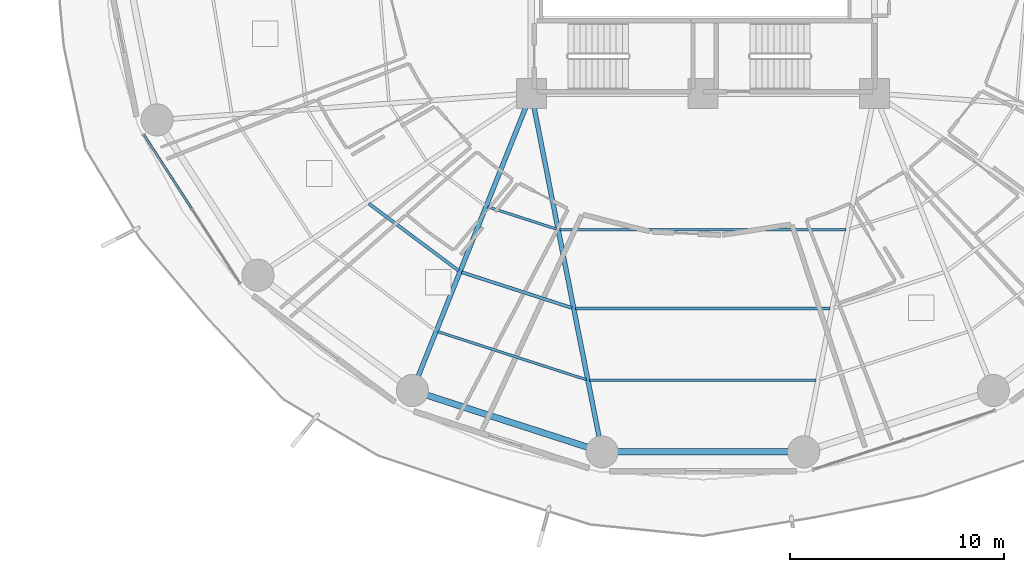
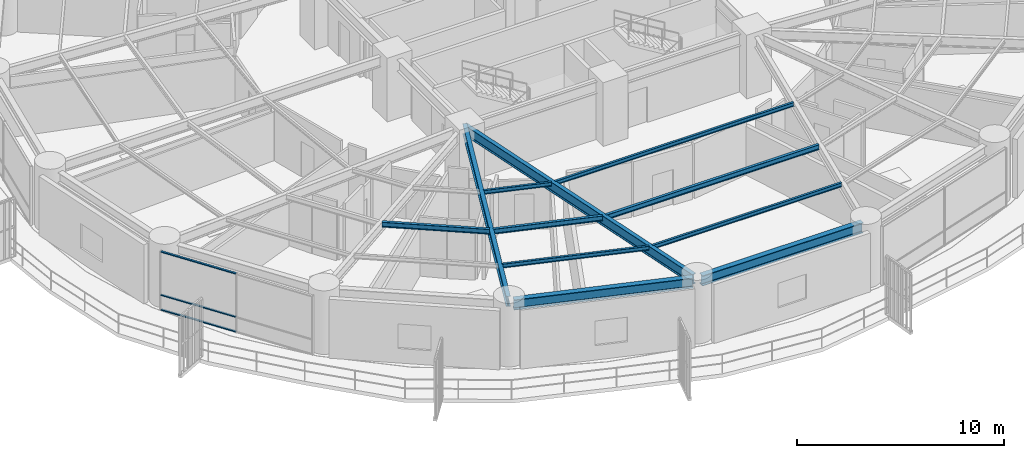
# One storey, part 3 of 33: 11 beams, 3 members, 1 element without a shape of its own.
"""IFC4 building model written with IfcOpenShell, lengths in metres."""

import ifcopenshell
import ifcopenshell.guid

model = None  # the IFC model being written
_history = None  # IfcOwnerHistory: only IFC2X3 demands one
_inside = {}  # id of a spatial element -> (the spatial element, [elements in it])
_under = {}  # id of a project, library or spatial element -> (it, [spatial elements below it])
_declared = {}  # id of a project -> (the project, [libraries it declares])
_typed = {}  # id of a type object -> (the type object, [elements of that type])
_made_of = {}  # id of a material, layer set ... -> (it, [elements and type objects made of it])


def new_model(schema):
    """Start an empty IFC model of exactly this schema.

    Asked for "IFC4X3", IfcOpenShell would pick the latest addendum, in which some entities
    have other attributes; the version numbers below select the first issue.
    IFC2X3 requires an IfcOwnerHistory on every rooted entity: one is made here for all.
    """
    global model, _history
    if schema == "IFC4X3":
        model = ifcopenshell.file(schema_version=(4, 3, 0, 0))
    else:
        model = ifcopenshell.file(schema=schema)
    _inside.clear()
    _under.clear()
    _declared.clear()
    _typed.clear()
    _made_of.clear()
    _history = None
    if model.schema == "IFC2X3":
        org = make("IfcOrganization", Name="unknown")
        user = make(
            "IfcPersonAndOrganization",
            ThePerson=make("IfcPerson", FamilyName="unknown"),
            TheOrganization=org,
        )
        app = make(
            "IfcApplication",
            ApplicationDeveloper=org,
            Version="unknown",
            ApplicationFullName="unknown",
            ApplicationIdentifier="unknown",
        )
        _history = make(
            "IfcOwnerHistory",
            OwningUser=user,
            OwningApplication=app,
            ChangeAction="ADDED",
            CreationDate=0,
        )
    return model


def make(cls, **values):
    """One entity of the class cls with the attributes given. An attribute that is None is left unset."""
    return model.create_entity(
        cls, **{name: value for name, value in values.items() if value is not None}
    )


def rooted(cls, **values):
    """An entity with a GlobalId (a new one), such as an element, a storey or a relation."""
    return make(cls, GlobalId=ifcopenshell.guid.new(), OwnerHistory=_history, **values)


def si_unit(unit_type, name, prefix=None):
    """IfcSIUnit, for example si_unit("LENGTHUNIT", "METRE", prefix="MILLI")."""
    return make("IfcSIUnit", UnitType=unit_type, Prefix=prefix, Name=name)


def assignment(units):
    """IfcUnitAssignment: the units of a project."""
    return None if units is None else make("IfcUnitAssignment", Units=units)


def point(xyz):
    """IfcCartesianPoint."""
    return None if xyz is None else make("IfcCartesianPoint", Coordinates=xyz)


def direction(xyz):
    """IfcDirection."""
    return None if xyz is None else make("IfcDirection", DirectionRatios=xyz)


def frame(location, z_axis=None, x_axis=None):
    """IfcAxis2Placement3D, a coordinate frame: its origin and axes. An axis left out is left unset."""
    return make(
        "IfcAxis2Placement3D",
        Location=point(location),
        Axis=direction(z_axis),
        RefDirection=direction(x_axis),
    )


def frame_2d(location, x_axis=None):
    """IfcAxis2Placement2D, a coordinate frame in the plane: its origin and x axis."""
    return make(
        "IfcAxis2Placement2D", Location=point(location), RefDirection=direction(x_axis)
    )


def origin():
    """The frame at (0, 0, 0) with its axes left unset."""
    return frame((0.0, 0.0, 0.0))


def origin_2d():
    """The frame at (0, 0) in the plane with its x axis left unset."""
    return frame_2d((0.0, 0.0))


def place(relative_to, where):
    """IfcLocalPlacement: puts the frame where relative to a parent placement (None: the world)."""
    return make(
        "IfcLocalPlacement", PlacementRelTo=relative_to, RelativePlacement=where
    )


def context(
    kind, dimensions, precision=None, world=None, true_north=None, identifier=None
):
    """IfcGeometricRepresentationContext, for example the 3D "Model" context."""
    return make(
        "IfcGeometricRepresentationContext",
        ContextIdentifier=identifier,
        ContextType=kind,
        CoordinateSpaceDimension=dimensions,
        Precision=precision,
        WorldCoordinateSystem=world,
        TrueNorth=true_north,
    )


def subcontext(parent, identifier, kind, view, scale=None):
    """IfcGeometricRepresentationSubContext, for example "Body" below "Model"."""
    return make(
        "IfcGeometricRepresentationSubContext",
        ContextIdentifier=identifier,
        ContextType=kind,
        ParentContext=parent,
        TargetScale=scale,
        TargetView=view,
    )


def project(units=None, contexts=None):
    """IfcProject with its units and contexts."""
    return rooted(
        "IfcProject",
        Name="project",
        RepresentationContexts=contexts,
        UnitsInContext=assignment(units),
    )


def spatial(cls, under=None, at=None, **own):
    """A site, building, storey or space (cls), placed at a placement, below another one or the project."""
    s = rooted(cls, ObjectPlacement=at, **own)
    if under is not None:
        _under.setdefault(under.id(), (under, []))[1].append(s)
    return s


def profile(cls, at=None, kind="AREA", **sizes):
    """A parametric profile (cls). Its sizes go by their IFC names, for example OverallWidth=200.0."""
    return make(cls, ProfileType=kind, Position=at, **sizes)


def hollow_rectangle(**sizes):
    """IfcRectangleHollowProfileDef."""
    return profile("IfcRectangleHollowProfileDef", **sizes)


def i_section(**sizes):
    """IfcIShapeProfileDef."""
    return profile("IfcIShapeProfileDef", **sizes)


def extrude(swept, where, along, depth):
    """IfcExtrudedAreaSolid: the profile swept, set in the frame where, extruded along a direction by depth."""
    return make(
        "IfcExtrudedAreaSolid",
        SweptArea=swept,
        Position=where,
        ExtrudedDirection=direction(along),
        Depth=depth,
    )


def shape(context_of_items, identifier, shape_type, items):
    """IfcShapeRepresentation: the items that make up one representation, for example the "Body"."""
    return make(
        "IfcShapeRepresentation",
        ContextOfItems=context_of_items,
        RepresentationIdentifier=identifier,
        RepresentationType=shape_type,
        Items=items,
    )


def material(Name=None, Category=None):
    """IfcMaterial."""
    return make("IfcMaterial", Name=Name, Category=Category)


def layer(
    of_material, thickness, ventilated=None, Name=None, Category=None, Priority=None
):
    """IfcMaterialLayer: one layer of a wall or slab, of a material (None: an air gap)."""
    return make(
        "IfcMaterialLayer",
        Material=of_material,
        LayerThickness=thickness,
        IsVentilated=ventilated,
        Name=Name,
        Category=Category,
        Priority=Priority,
    )


def layer_set(layers, Name=None):
    """IfcMaterialLayerSet."""
    return make("IfcMaterialLayerSet", MaterialLayers=layers, LayerSetName=Name)


def material_profile(
    of_material, cross_section, Name=None, Category=None, Priority=None
):
    """IfcMaterialProfile: a cross section and its material."""
    return make(
        "IfcMaterialProfile",
        Name=Name,
        Material=of_material,
        Profile=cross_section,
        Priority=Priority,
        Category=Category,
    )


def profile_set(profiles, Name=None, composite=None):
    """IfcMaterialProfileSet."""
    return make(
        "IfcMaterialProfileSet",
        Name=Name,
        MaterialProfiles=profiles,
        CompositeProfile=composite,
    )


def made_of(thing, what):
    """Note that an element or type object is made of a material, layer set ...; save() writes the relation."""
    if what is not None:
        _made_of.setdefault(what.id(), (what, []))[1].append(thing)
    return thing


def type_object(cls, material=None, **own):
    """A type object (cls), such as IfcWallType, which elements share."""
    return made_of(rooted(cls, **own), material)


def element(
    cls,
    number,
    at=None,
    inside=None,
    cuts=None,
    type_object=None,
    material=None,
    context=None,
    identifier="Body",
    shape_type=None,
    held_by="IfcProductDefinitionShape",
    body=None,
    shapes=None,
    **own,
):
    """One element of the class cls, such as IfcWall. Its Tag is "e" and its number.

    at: its placement. inside: the storey or other place that contains it. cuts: it is an
    opening in that element (IfcRelVoidsElement). A single representation is given by context,
    identifier, shape_type and body (its items); several are given by shapes. held_by: the class
    of the entity that holds the representations. save() writes the other relations.
    """
    e = rooted(cls, Tag="e%d" % number, ObjectPlacement=at, **own)
    if body is not None:
        shapes = [shape(context, identifier, shape_type, body)]
    if shapes is not None:
        e.Representation = make(held_by, Representations=shapes)
    if inside is not None:
        _inside.setdefault(inside.id(), (inside, []))[1].append(e)
    if cuts is not None:
        rooted(
            "IfcRelVoidsElement", RelatingBuildingElement=cuts, RelatedOpeningElement=e
        )
    if type_object is not None:
        _typed.setdefault(type_object.id(), (type_object, []))[1].append(e)
    return made_of(e, material)


def aggregate(whole, parts):
    """IfcRelAggregates: a whole, such as a stair, and the parts it consists of."""
    return rooted("IfcRelAggregates", RelatingObject=whole, RelatedObjects=parts)


def save(model, path):
    """Write the relations noted so far, then the file.

    IfcRelAggregates (storeys below a building ...), IfcRelContainedInSpatialStructure (elements
    in a storey), IfcRelDefinesByType, IfcRelAssociatesMaterial and IfcRelDeclares: one each for
    every whole, place, type object, material and project.
    """
    for whole, parts in _under.values():
        aggregate(whole, parts)
    for where, things in _inside.values():
        rooted(
            "IfcRelContainedInSpatialStructure",
            RelatedElements=things,
            RelatingStructure=where,
        )
    for kind, things in _typed.values():
        rooted("IfcRelDefinesByType", RelatedObjects=things, RelatingType=kind)
    for what, things in _made_of.values():
        rooted("IfcRelAssociatesMaterial", RelatedObjects=things, RelatingMaterial=what)
    for by, libraries in _declared.values():
        rooted("IfcRelDeclares", RelatingContext=by, RelatedDefinitions=libraries)
    model.write(path)


model = new_model("IFC4")

# Units and contexts
model_context = context("Model", 3, precision=1e-05, world=origin(), true_north=direction((0.0, 1.0)))
body_context = subcontext(model_context, "Body", "Model", "MODEL_VIEW")
ifc_project = project(units=[si_unit("LENGTHUNIT", "METRE"), si_unit("AREAUNIT", "SQUARE_METRE"), si_unit("VOLUMEUNIT", "CUBIC_METRE"), si_unit("PLANEANGLEUNIT", "RADIAN"), si_unit("MASSUNIT", "GRAM", prefix="KILO")], contexts=[model_context])

# Site, building, storey
site_placement = place(None, origin())
site = spatial("IfcSite", under=ifc_project, at=site_placement, CompositionType="ELEMENT")
building_placement = place(site_placement, origin())
building = spatial("IfcBuilding", under=site, at=building_placement, Name="Kelanora Arch Commons", CompositionType="ELEMENT")
storey_placement = place(building_placement, frame((0.0, 0.0, 37.5)))
storey = spatial("IfcBuildingStorey", under=building, at=storey_placement, Name="L09", CompositionType="ELEMENT", Elevation=37.5)

# Beams
ifc_material_1 = material(Name="Steel S355", Category="steel")
ifc_material_profile_1 = material_profile(ifc_material_1, i_section(OverallWidth=0.14990234375, OverallDepth=0.300048828125, WebThickness=0.007080078125, FlangeThickness=0.0107421875, FilletRadius=0.014892578125, at=origin_2d()), Name="IPE300")
ifc_profile_set_1 = profile_set([ifc_material_profile_1], Name="Steel S355")
beam_type_1 = type_object("IfcBeamType", Name="BM-JST-01", PredefinedType="JOIST", material=ifc_profile_set_1)
beam_1_placement = place(storey_placement, frame((58.42138671875, 45.8623046875, 3.340087890625), z_axis=(0.801478251559, -0.598023922831, 0.0), x_axis=(0.598023922831, 0.801478251559, 0.0)))
element("IfcBeam", 1, at=beam_1_placement, inside=storey, type_object=beam_type_1, Name="Secondary Chord Joist BJB-22 L09", PredefinedType="JOIST", context=body_context, shape_type="SweptSolid", body=[
    extrude(i_section(OverallWidth=0.14990234375, OverallDepth=0.300048828125, WebThickness=0.007080078125, FlangeThickness=0.0107421875, FilletRadius=0.014892578125, at=origin_2d()), origin(), (0.0, 0.0, 1.0), 5.223388671875),
])
beam_2_placement = place(storey_placement, frame((62.7568359375, 42.66162109375, 3.340087890625), z_axis=(0.951412209627, -0.307920131482, 0.0), x_axis=(0.307920131482, 0.951412209627, 0.0)))
element("IfcBeam", 2, at=beam_2_placement, inside=storey, type_object=beam_type_1, Name="Secondary Chord Joist BJB-24 L09", PredefinedType="JOIST", context=body_context, shape_type="SweptSolid", body=[
    extrude(i_section(OverallWidth=0.14990234375, OverallDepth=0.300048828125, WebThickness=0.007080078125, FlangeThickness=0.0107421875, FilletRadius=0.014892578125, at=origin_2d()), origin(), (0.0, 0.0, 1.0), 5.4033203125),
])
beam_3_placement = place(storey_placement, frame((68.063720703125, 40.971435546875, 3.340087890625), z_axis=(1.0, 0.0, 0.0), x_axis=(0.0, 1.0, 0.0)))
element("IfcBeam", 3, at=beam_3_placement, inside=storey, type_object=beam_type_1, Name="Secondary Chord Joist BJB-26 L09", PredefinedType="JOIST", context=body_context, shape_type="SweptSolid", body=[
    extrude(i_section(OverallWidth=0.14990234375, OverallDepth=0.300048828125, WebThickness=0.007080078125, FlangeThickness=0.0107421875, FilletRadius=0.014892578125, at=origin_2d()), origin(), (0.0, 0.0, 1.0), 11.87255859375),
])
ifc_material_profile_2 = material_profile(ifc_material_1, i_section(OverallWidth=0.1201171875, OverallDepth=0.239990234375, WebThickness=0.006103515625, FlangeThickness=0.009765625, FilletRadius=0.014892578125, at=origin_2d()), Name="IPE240")
ifc_profile_set_2 = profile_set([ifc_material_profile_2], Name="Steel S355")
beam_type_2 = type_object("IfcBeamType", Name="BM-JST-02", PredefinedType="JOIST", material=ifc_profile_set_2)
beam_4_placement = place(storey_placement, frame((63.9755859375, 45.709228515625, 3.3701171875), z_axis=(0.951422608074, -0.30788800049, 0.0), x_axis=(0.30788800049, 0.951422608074, 0.0)))
element("IfcBeam", 4, at=beam_4_placement, inside=storey, type_object=beam_type_2, Name="Secondary Chord Joist BJA-24 L09", PredefinedType="JOIST", context=body_context, shape_type="SweptSolid", body=[
    extrude(i_section(OverallWidth=0.1201171875, OverallDepth=0.239990234375, WebThickness=0.006103515625, FlangeThickness=0.009765625, FilletRadius=0.014892578125, at=origin_2d()), origin(), (0.0, 0.0, 1.0), 3.359619140625),
])
beam_5_placement = place(storey_placement, frame((61.64892578125, 39.890625, 3.3701171875), z_axis=(0.951410915705, -0.307924129418, 0.0), x_axis=(0.307924129418, 0.951410915705, 0.0)))
element("IfcBeam", 5, at=beam_5_placement, inside=storey, type_object=beam_type_2, Name="Secondary Chord Joist BJC-24 L09", PredefinedType="JOIST", context=body_context, shape_type="SweptSolid", body=[
    extrude(i_section(OverallWidth=0.1201171875, OverallDepth=0.239990234375, WebThickness=0.006103515625, FlangeThickness=0.009765625, FilletRadius=0.014892578125, at=origin_2d()), origin(), (0.0, 0.0, 1.0), 7.260986328125),
])
beam_6_placement = place(storey_placement, frame((67.338134765625, 44.648681640625, 3.3701171875), z_axis=(1.0, 0.0, 0.0), x_axis=(0.0, 1.0, 0.0)))
element("IfcBeam", 6, at=beam_6_placement, inside=storey, type_object=beam_type_2, Name="Secondary Chord Joist BJA-26 L09", PredefinedType="JOIST", context=body_context, shape_type="SweptSolid", body=[
    extrude(i_section(OverallWidth=0.1201171875, OverallDepth=0.239990234375, WebThickness=0.006103515625, FlangeThickness=0.009765625, FilletRadius=0.014892578125, at=origin_2d()), origin(), (0.0, 0.0, 1.0), 13.32373046875),
])
beam_7_placement = place(storey_placement, frame((68.72314453125, 37.628662109375, 3.3701171875), z_axis=(1.0, 0.0, 0.0), x_axis=(0.0, 1.0, 0.0)))
element("IfcBeam", 7, at=beam_7_placement, inside=storey, type_object=beam_type_2, Name="Secondary Chord Joist BJC-26 L09", PredefinedType="JOIST", context=body_context, shape_type="SweptSolid", body=[
    extrude(i_section(OverallWidth=0.1201171875, OverallDepth=0.239990234375, WebThickness=0.006103515625, FlangeThickness=0.009765625, FilletRadius=0.014892578125, at=origin_2d()), origin(), (0.0, 0.0, 1.0), 10.5537109375),
])
ifc_material_profile_3 = material_profile(ifc_material_1, i_section(OverallWidth=0.219970703125, OverallDepth=0.60009765625, WebThickness=0.011962890625, FlangeThickness=0.01904296875, FilletRadius=0.02392578125, at=origin_2d()), Name="IPE600")
ifc_profile_set_3 = profile_set([ifc_material_profile_3], Name="Steel S355")
beam_type_3 = type_object("IfcBeamType", Name="BM-RAD-Z1", PredefinedType="BEAM", material=ifc_profile_set_3)
beam_8_placement = place(storey_placement, frame((66.0, 51.0, 3.18994140625), z_axis=(-0.371296182896, -0.928514482691, 0.0), x_axis=(0.928514482691, -0.371296182896, 0.0)))
element("IfcBeam", 8, at=beam_8_placement, inside=storey, type_object=beam_type_3, Name="Radial Floor Girder BR-24 L09", PredefinedType="BEAM", context=body_context, shape_type="SweptSolid", body=[
    extrude(i_section(OverallWidth=0.219970703125, OverallDepth=0.60009765625, WebThickness=0.011962890625, FlangeThickness=0.01904296875, FilletRadius=0.02392578125, at=origin_2d()), origin(), (0.0, 0.0, 1.0), 14.700439453125),
])
beam_9_placement = place(storey_placement, frame((66.0, 51.0, 3.18994140625), z_axis=(0.193555256292, -0.981089375522, 0.0), x_axis=(0.981089375522, 0.193555256292, 0.0)))
element("IfcBeam", 9, at=beam_9_placement, inside=storey, type_object=beam_type_3, Name="Radial Floor Girder BR-26 L09", PredefinedType="BEAM", context=body_context, shape_type="SweptSolid", body=[
    extrude(i_section(OverallWidth=0.219970703125, OverallDepth=0.60009765625, WebThickness=0.011962890625, FlangeThickness=0.01904296875, FilletRadius=0.02392578125, at=origin_2d()), origin(), (0.0, 0.0, 1.0), 16.81640625),
])
ifc_material_profile_4 = material_profile(ifc_material_1, i_section(OverallWidth=0.300048828125, OverallDepth=0.60009765625, WebThickness=0.015380859375, FlangeThickness=0.030029296875, FilletRadius=0.027099609375, at=origin_2d()), Name="HEB600")
ifc_profile_set_4 = profile_set([ifc_material_profile_4], Name="Steel S355")
beam_type_4 = type_object("IfcBeamType", Name="BM-SPN-Z1", PredefinedType="SPANDREL", material=ifc_profile_set_4)
beam_10_placement = place(storey_placement, frame((60.669189453125, 37.078369140625, 3.18994140625), z_axis=(0.951411479564, -0.307922387224, 0.0), x_axis=(0.307922387224, 0.951411479564, 0.0)))
element("IfcBeam", 10, at=beam_10_placement, inside=storey, type_object=beam_type_4, Name="Perimeter Spandrel Beam BS-24 L09", PredefinedType="SPANDREL", context=body_context, shape_type="SweptSolid", body=[
    extrude(i_section(OverallWidth=0.300048828125, OverallDepth=0.60009765625, WebThickness=0.015380859375, FlangeThickness=0.030029296875, FilletRadius=0.027099609375, at=origin_2d()), origin(), (0.0, 0.0, 1.0), 8.84912109375),
])
beam_11_placement = place(storey_placement, frame((69.517578125, 34.285888671875, 3.18994140625), z_axis=(1.0, 0.0, 0.0), x_axis=(0.0, 1.0, 0.0)))
element("IfcBeam", 11, at=beam_11_placement, inside=storey, type_object=beam_type_4, Name="Perimeter Spandrel Beam BS-26 L09", PredefinedType="SPANDREL", context=body_context, shape_type="SweptSolid", body=[
    extrude(i_section(OverallWidth=0.300048828125, OverallDepth=0.60009765625, WebThickness=0.015380859375, FlangeThickness=0.030029296875, FilletRadius=0.027099609375, at=origin_2d()), origin(), (0.0, 0.0, 1.0), 8.96484375),
])

# Curtain wall, members
ifc_material_2 = material(Name="Terracotta ceramic-fritted low-E glass and aluminium", Category="masonry")
ifc_layer = layer(ifc_material_2, 0.159912109375)
ifc_layer_set = layer_set([ifc_layer], Name="Terracotta ceramic-fritted low-E glass and aluminium")
curtain_wall_type = type_object("IfcCurtainWallType", Name="CW-SYS-01", PredefinedType="NOTDEFINED", material=ifc_layer_set)
curtain_wall_placement = place(storey_placement, origin())
curtain_wall = element("IfcCurtainWall", 12, at=curtain_wall_placement, inside=storey, type_object=curtain_wall_type, Name="Unitised Curtain Wall L09-B10", PredefinedType="NOTDEFINED")
ifc_material_3 = material(Name="Powder-coated aluminium terracotta", Category="masonry")
ifc_material_profile_5 = material_profile(ifc_material_3, hollow_rectangle(XDim=0.1201171875, YDim=0.06005859375, WallThickness=0.0048828125, InnerFilletRadius=0.0048828125, OuterFilletRadius=0.010009765625, at=origin_2d()), Name="CWT120x60")
ifc_profile_set_5 = profile_set([ifc_material_profile_5], Name="Powder-coated aluminium terracotta")
member_type = type_object("IfcMemberType", Name="CWT-STD", PredefinedType="USERDEFINED", material=ifc_profile_set_5)
member_1_placement = place(storey_placement, frame((47.944091796875, 49.054443359375, 0.030029296875), z_axis=(0.542997414293, -0.839734367566, 0.0), x_axis=(0.839734367566, 0.542997414293, 0.0)))
member_1 = element("IfcMember", 13, at=member_1_placement, type_object=member_type, Name="CW-01 transom 1.1", ObjectType="TRANSOM", PredefinedType="USERDEFINED", context=body_context, shape_type="SweptSolid", body=[
    extrude(hollow_rectangle(XDim=0.1201171875, YDim=0.06005859375, WallThickness=0.0048828125, InnerFilletRadius=0.0048828125, OuterFilletRadius=0.010009765625, at=origin_2d()), origin(), (0.0, 0.0, 1.0), 4.067626953125),
])
member_2_placement = place(storey_placement, frame((47.944091796875, 49.054443359375, 0.89990234375), z_axis=(0.542997414293, -0.839734367566, 0.0), x_axis=(0.839734367566, 0.542997414293, 0.0)))
member_2 = element("IfcMember", 14, at=member_2_placement, type_object=member_type, Name="CW-01 transom 1.2", ObjectType="TRANSOM", PredefinedType="USERDEFINED", context=body_context, shape_type="SweptSolid", body=[
    extrude(hollow_rectangle(XDim=0.1201171875, YDim=0.06005859375, WallThickness=0.0048828125, InnerFilletRadius=0.0048828125, OuterFilletRadius=0.010009765625, at=origin_2d()), origin(), (0.0, 0.0, 1.0), 4.067626953125),
])
member_3_placement = place(storey_placement, frame((47.944091796875, 49.054443359375, 3.445068359375), z_axis=(0.542997414293, -0.839734367566, 0.0), x_axis=(0.839734367566, 0.542997414293, 0.0)))
member_3 = element("IfcMember", 15, at=member_3_placement, type_object=member_type, Name="CW-01 transom 1.3", ObjectType="TRANSOM", PredefinedType="USERDEFINED", context=body_context, shape_type="SweptSolid", body=[
    extrude(hollow_rectangle(XDim=0.1201171875, YDim=0.06005859375, WallThickness=0.0048828125, InnerFilletRadius=0.0048828125, OuterFilletRadius=0.010009765625, at=origin_2d()), origin(), (0.0, 0.0, 1.0), 4.067626953125),
])
aggregate(curtain_wall, [member_1, member_2, member_3])

save(model, "model.ifc")
